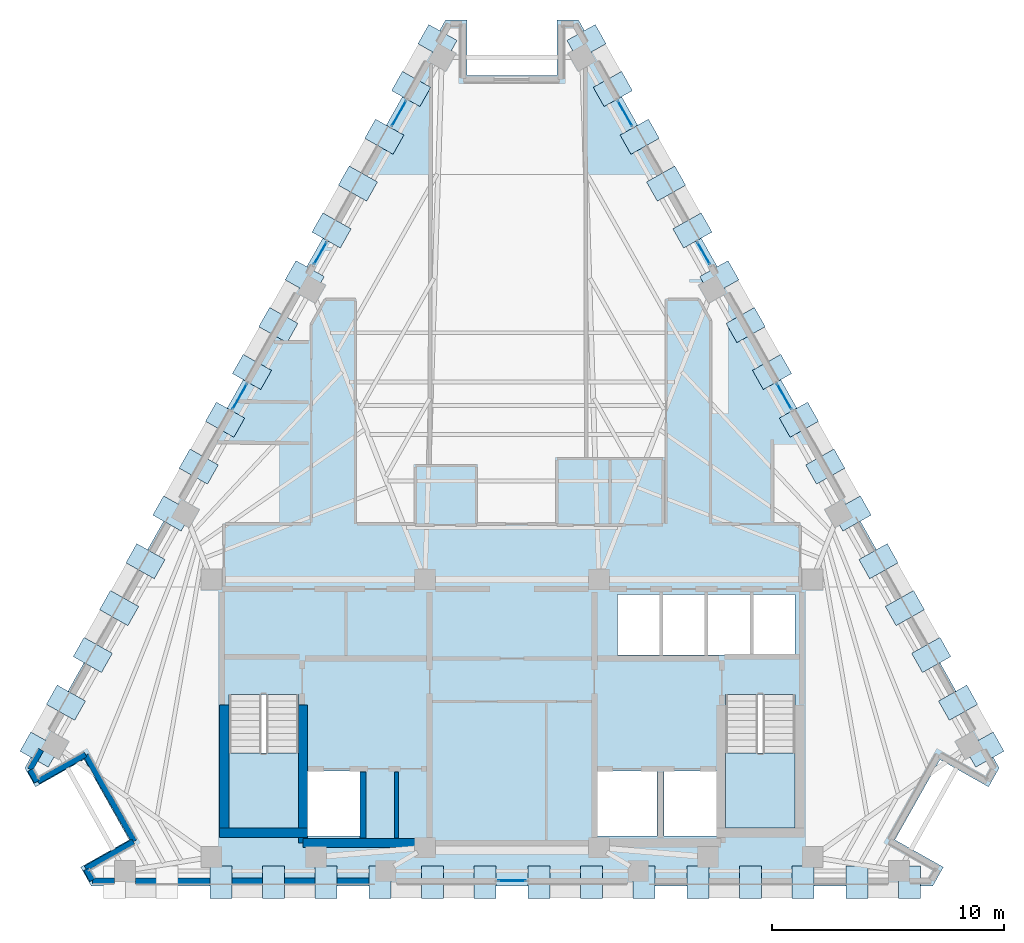
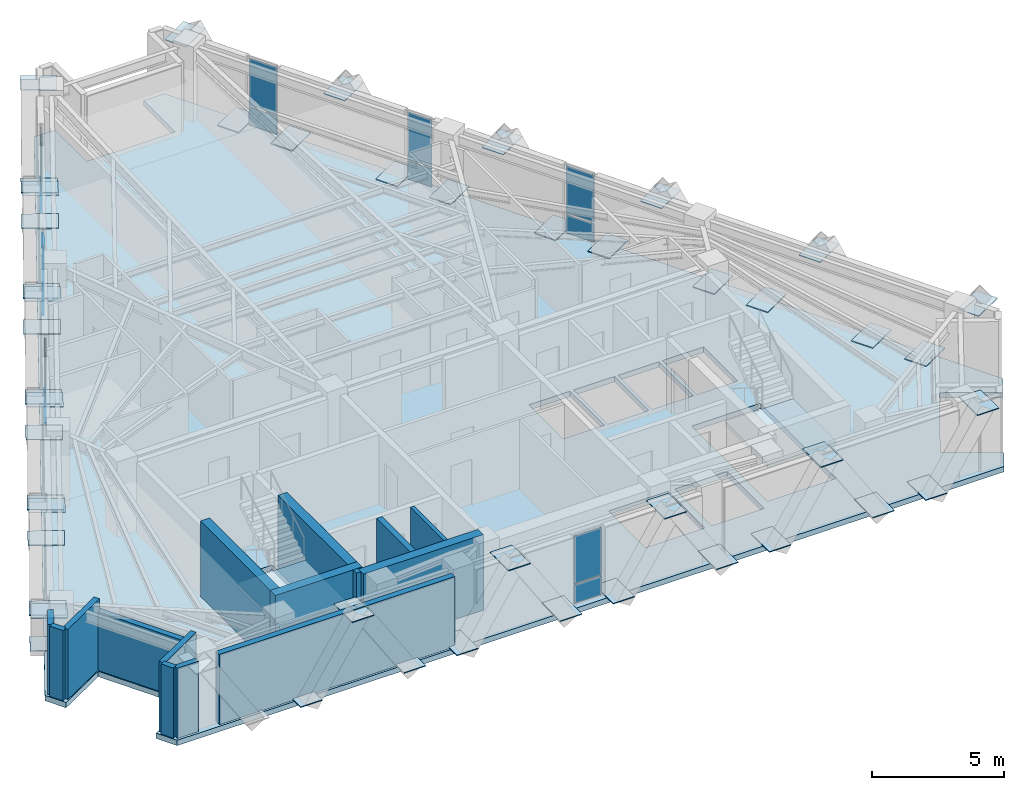
# One storey, part 6 of 12: 60 plates, 14 walls, 3 slabs, 9 elements without a shape of their own.
"""IFC4 building model written with IfcOpenShell, lengths in metres."""

from ifc_helpers import new_model, si_unit, direction, frame, frame_2d, origin, origin_2d, place, context, subcontext, project, spatial, polyline, rectangle, outline, extrude, material, layer, layer_set, type_object, element, aggregate, save


model = new_model("IFC4")

# Units and contexts
model_context = context("Model", 3, precision=1e-05, world=origin(), true_north=direction((0.0, 1.0)))
body_context = subcontext(model_context, "Body", "Model", "MODEL_VIEW")
ifc_project = project(units=[si_unit("LENGTHUNIT", "METRE"), si_unit("AREAUNIT", "SQUARE_METRE"), si_unit("VOLUMEUNIT", "CUBIC_METRE"), si_unit("PLANEANGLEUNIT", "RADIAN"), si_unit("MASSUNIT", "GRAM", prefix="KILO")], contexts=[model_context])

# Site, building, storey
site_placement = place(None, origin())
site = spatial("IfcSite", under=ifc_project, at=site_placement, CompositionType="ELEMENT")
building_placement = place(site_placement, origin())
building = spatial("IfcBuilding", under=site, at=building_placement, Name="Quenlor Broadcast Tower", CompositionType="ELEMENT")
storey_placement = place(building_placement, frame((0.0, 0.0, 197.39990234375)))
storey = spatial("IfcBuildingStorey", under=building, at=storey_placement, Name="L54", CompositionType="ELEMENT", Elevation=197.39990234375)

# Curtain wall, plates
ifc_material_1 = material(Name="Architectural Terracotta and Low-E Glazing", Category="masonry")
curtain_wall_type = type_object("IfcCurtainWallType", Name="Unitised Terracotta Curtain Wall System Z4", PredefinedType="NOTDEFINED", material=ifc_material_1)
curtain_wall_1_placement = place(storey_placement, origin())
curtain_wall_1 = element("IfcCurtainWall", 1, at=curtain_wall_1_placement, inside=storey, type_object=curtain_wall_type, Name="L54 Curtain Wall CW4 (L54-S-G1)", PredefinedType="NOTDEFINED")
ifc_material_2 = material(Name="Double Glazed Low-E Solar Glass", Category="glass")
ifc_layer_1 = layer(ifc_material_2, 0.028076171875)
ifc_layer_set_1 = layer_set([ifc_layer_1], Name="CW4 Double Glazed Vision Panel 28")
plate_type_1 = type_object("IfcPlateType", Name="CW4 Double Glazed Vision Panel 28", PredefinedType="CURTAIN_PANEL", material=ifc_layer_set_1)
plate_1_placement = place(storey_placement, frame((0.0, -17.77490234375, 0.068359375), z_axis=(0.0, 0.0, 1.0), x_axis=(-1.0, 0.0, 0.0)))
plate_1 = element("IfcPlate", 2, at=plate_1_placement, type_object=plate_type_1, Name="CW4 panel 1.1", PredefinedType="CURTAIN_PANEL", context=body_context, shape_type="SweptSolid", body=[
    extrude(rectangle(XDim=1.188720703125, YDim=0.028076171875, at=origin_2d()), origin(), (0.0, 0.0, 1.0), 0.847900390625),
])
plate_2_placement = place(storey_placement, frame((0.0, -17.77490234375, 0.98388671875), z_axis=(0.0, 0.0, 1.0), x_axis=(-1.0, 0.0, 0.0)))
plate_2 = element("IfcPlate", 3, at=plate_2_placement, type_object=plate_type_1, Name="CW4 panel 1.2", PredefinedType="CURTAIN_PANEL", context=body_context, shape_type="SweptSolid", body=[
    extrude(rectangle(XDim=1.188720703125, YDim=0.028076171875, at=origin_2d()), origin(), (0.0, 0.0, 1.0), 2.197998046875),
])
aggregate(curtain_wall_1, [plate_1, plate_2])

curtain_wall_2_placement = place(storey_placement, origin())
curtain_wall_2 = element("IfcCurtainWall", 4, at=curtain_wall_2_placement, inside=storey, type_object=curtain_wall_type, Name="L54 Curtain Wall CW4 (L54-NEA-G1)", PredefinedType="NOTDEFINED")
plate_3_placement = place(storey_placement, frame((4.87060546875, 15.281982421875, 0.068359375), z_axis=(0.0, 0.0, 1.0), x_axis=(0.490288844266, -0.871560008943, 0.0)))
plate_3 = element("IfcPlate", 5, at=plate_3_placement, type_object=plate_type_1, Name="CW4 panel 1.1", PredefinedType="CURTAIN_PANEL", context=body_context, shape_type="SweptSolid", body=[
    extrude(rectangle(XDim=1.239990234375, YDim=0.028076171875, at=origin_2d()), origin(), (0.0, 0.0, 1.0), 0.847900390625),
])
plate_4_placement = place(storey_placement, frame((4.87060546875, 15.281982421875, 0.98388671875), z_axis=(0.0, 0.0, 1.0), x_axis=(0.490288844266, -0.871560008943, 0.0)))
plate_4 = element("IfcPlate", 6, at=plate_4_placement, type_object=plate_type_1, Name="CW4 panel 1.2", PredefinedType="CURTAIN_PANEL", context=body_context, shape_type="SweptSolid", body=[
    extrude(rectangle(XDim=1.239990234375, YDim=0.028076171875, at=origin_2d()), origin(), (0.0, 0.0, 1.0), 2.197998046875),
])
aggregate(curtain_wall_2, [plate_3, plate_4])

curtain_wall_3_placement = place(storey_placement, origin())
curtain_wall_3 = element("IfcCurtainWall", 7, at=curtain_wall_3_placement, inside=storey, type_object=curtain_wall_type, Name="L54 Curtain Wall CW4 (L54-NEA-G2)", PredefinedType="NOTDEFINED")
plate_5_placement = place(storey_placement, frame((8.257080078125, 9.26171875, 0.068359375), z_axis=(0.0, 0.0, 1.0), x_axis=(0.490292850918, -0.871557755022, 0.0)))
plate_5 = element("IfcPlate", 8, at=plate_5_placement, type_object=plate_type_1, Name="CW4 panel 1.1", PredefinedType="CURTAIN_PANEL", context=body_context, shape_type="SweptSolid", body=[
    extrude(rectangle(XDim=1.0654296875, YDim=0.028076171875, at=origin_2d()), origin(), (0.0, 0.0, 1.0), 0.847900390625),
])
plate_6_placement = place(storey_placement, frame((8.257080078125, 9.26171875, 0.98388671875), z_axis=(0.0, 0.0, 1.0), x_axis=(0.490292850918, -0.871557755022, 0.0)))
plate_6 = element("IfcPlate", 9, at=plate_6_placement, type_object=plate_type_1, Name="CW4 panel 1.2", PredefinedType="CURTAIN_PANEL", context=body_context, shape_type="SweptSolid", body=[
    extrude(rectangle(XDim=1.0654296875, YDim=0.028076171875, at=origin_2d()), origin(), (0.0, 0.0, 1.0), 2.197998046875),
])
aggregate(curtain_wall_3, [plate_5, plate_6])

curtain_wall_4_placement = place(storey_placement, origin())
curtain_wall_4 = element("IfcCurtainWall", 10, at=curtain_wall_4_placement, inside=storey, type_object=curtain_wall_type, Name="L54 Curtain Wall CW4 (L54-NE-G1)", PredefinedType="NOTDEFINED")
plate_7_placement = place(storey_placement, frame((11.72900390625, 3.089599609375, 0.068359375), z_axis=(0.0, 0.0, 1.0), x_axis=(0.490288844266, -0.871560008943, 0.0)))
plate_7 = element("IfcPlate", 11, at=plate_7_placement, type_object=plate_type_1, Name="CW4 panel 1.1", PredefinedType="CURTAIN_PANEL", context=body_context, shape_type="SweptSolid", body=[
    extrude(rectangle(XDim=1.239990234375, YDim=0.028076171875, at=origin_2d()), origin(), (0.0, 0.0, 1.0), 0.847900390625),
])
plate_8_placement = place(storey_placement, frame((11.72900390625, 3.089599609375, 0.98388671875), z_axis=(0.0, 0.0, 1.0), x_axis=(0.490288844266, -0.871560008943, 0.0)))
plate_8 = element("IfcPlate", 12, at=plate_8_placement, type_object=plate_type_1, Name="CW4 panel 1.2", PredefinedType="CURTAIN_PANEL", context=body_context, shape_type="SweptSolid", body=[
    extrude(rectangle(XDim=1.239990234375, YDim=0.028076171875, at=origin_2d()), origin(), (0.0, 0.0, 1.0), 2.197998046875),
])
aggregate(curtain_wall_4, [plate_7, plate_8])

curtain_wall_5_placement = place(storey_placement, origin())
curtain_wall_5 = element("IfcCurtainWall", 13, at=curtain_wall_5_placement, inside=storey, type_object=curtain_wall_type, Name="L54 Curtain Wall CW4 (L54-NWC-G1)", PredefinedType="NOTDEFINED")
plate_9_placement = place(storey_placement, frame((-8.257080078125, 9.26171875, 0.068359375), z_axis=(0.0, 0.0, 1.0), x_axis=(0.490292850918, 0.871557755022, 0.0)))
plate_9 = element("IfcPlate", 14, at=plate_9_placement, type_object=plate_type_1, Name="CW4 panel 1.1", PredefinedType="CURTAIN_PANEL", context=body_context, shape_type="SweptSolid", body=[
    extrude(rectangle(XDim=1.0654296875, YDim=0.028076171875, at=origin_2d()), origin(), (0.0, 0.0, 1.0), 0.847900390625),
])
plate_10_placement = place(storey_placement, frame((-8.257080078125, 9.26171875, 0.98388671875), z_axis=(0.0, 0.0, 1.0), x_axis=(0.490292850918, 0.871557755022, 0.0)))
plate_10 = element("IfcPlate", 15, at=plate_10_placement, type_object=plate_type_1, Name="CW4 panel 1.2", PredefinedType="CURTAIN_PANEL", context=body_context, shape_type="SweptSolid", body=[
    extrude(rectangle(XDim=1.0654296875, YDim=0.028076171875, at=origin_2d()), origin(), (0.0, 0.0, 1.0), 2.197998046875),
])
aggregate(curtain_wall_5, [plate_9, plate_10])

curtain_wall_6_placement = place(storey_placement, origin())
curtain_wall_6 = element("IfcCurtainWall", 16, at=curtain_wall_6_placement, inside=storey, type_object=curtain_wall_type, Name="L54 Curtain Wall CW4 (L54-NWC-G2)", PredefinedType="NOTDEFINED")
plate_11_placement = place(storey_placement, frame((-4.87060546875, 15.281982421875, 0.068359375), z_axis=(0.0, 0.0, 1.0), x_axis=(0.490288844266, 0.871560008943, 0.0)))
plate_11 = element("IfcPlate", 17, at=plate_11_placement, type_object=plate_type_1, Name="CW4 panel 1.1", PredefinedType="CURTAIN_PANEL", context=body_context, shape_type="SweptSolid", body=[
    extrude(rectangle(XDim=1.239990234375, YDim=0.028076171875, at=origin_2d()), origin(), (0.0, 0.0, 1.0), 0.847900390625),
])
plate_12_placement = place(storey_placement, frame((-4.87060546875, 15.281982421875, 0.98388671875), z_axis=(0.0, 0.0, 1.0), x_axis=(0.490288844266, 0.871560008943, 0.0)))
plate_12 = element("IfcPlate", 18, at=plate_12_placement, type_object=plate_type_1, Name="CW4 panel 1.2", PredefinedType="CURTAIN_PANEL", context=body_context, shape_type="SweptSolid", body=[
    extrude(rectangle(XDim=1.239990234375, YDim=0.028076171875, at=origin_2d()), origin(), (0.0, 0.0, 1.0), 2.197998046875),
])
aggregate(curtain_wall_6, [plate_11, plate_12])

curtain_wall_7_placement = place(storey_placement, origin())
curtain_wall_7 = element("IfcCurtainWall", 19, at=curtain_wall_7_placement, inside=storey, type_object=curtain_wall_type, Name="L54 Curtain Wall CW4 (L54-NW-G1)", PredefinedType="NOTDEFINED")
plate_13_placement = place(storey_placement, frame((-11.72900390625, 3.089599609375, 0.068359375), z_axis=(0.0, 0.0, 1.0), x_axis=(0.490288844266, 0.871560008943, 0.0)))
plate_13 = element("IfcPlate", 20, at=plate_13_placement, type_object=plate_type_1, Name="CW4 panel 1.1", PredefinedType="CURTAIN_PANEL", context=body_context, shape_type="SweptSolid", body=[
    extrude(rectangle(XDim=1.239990234375, YDim=0.028076171875, at=origin_2d()), origin(), (0.0, 0.0, 1.0), 0.847900390625),
])
plate_14_placement = place(storey_placement, frame((-11.72900390625, 3.089599609375, 0.98388671875), z_axis=(0.0, 0.0, 1.0), x_axis=(0.490288844266, 0.871560008943, 0.0)))
plate_14 = element("IfcPlate", 21, at=plate_14_placement, type_object=plate_type_1, Name="CW4 panel 1.2", PredefinedType="CURTAIN_PANEL", context=body_context, shape_type="SweptSolid", body=[
    extrude(rectangle(XDim=1.239990234375, YDim=0.028076171875, at=origin_2d()), origin(), (0.0, 0.0, 1.0), 2.197998046875),
])
aggregate(curtain_wall_7, [plate_13, plate_14])

# Stair, slab
ifc_material_3 = material(Name="Precast concrete C40/50", Category="concrete")
stair_type = type_object("IfcStairType", Name="Precast Concrete C40/50 Dogleg Stair H350", PredefinedType="HALF_TURN_STAIR", material=ifc_material_3)
stair_1_placement = place(storey_placement, origin())
stair_1 = element("IfcStair", 22, at=stair_1_placement, inside=storey, type_object=stair_type, Name="L54 West Core Fire-Isolated Exit Stair ST-1", PredefinedType="HALF_TURN_STAIR")
ifc_material_4 = material(Name="Precast concrete C40/50", Category="concrete")
ifc_layer_2 = layer(ifc_material_4, 0.199951171875)
ifc_layer_set_2 = layer_set([ifc_layer_2], Name="Precast Concrete C40/50 Stair Landing Slab 200")
slab_type_1 = type_object("IfcSlabType", Name="Precast Concrete C40/50 Stair Landing Slab 200", PredefinedType="LANDING", material=ifc_layer_set_2)
slab_1_placement = place(storey_placement, frame((0.0, 0.0, 1.550048828125)))
slab_1 = element("IfcSlab", 23, at=slab_1_placement, type_object=slab_type_1, Name="ST-1 landing 1", PredefinedType="LANDING", context=body_context, shape_type="SweptSolid", body=[
    extrude(outline(polyline([(-12.199951171875, -12.27001953125), (-12.199951171875, -15.5), (-9.199951171875, -15.5), (-9.199951171875, -12.27001953125), (-12.199951171875, -12.27001953125)])), origin(), (0.0, 0.0, 1.0), 0.199951171875),
])
aggregate(stair_1, [slab_1])

stair_2_placement = place(storey_placement, origin())
stair_2 = element("IfcStair", 24, at=stair_2_placement, inside=storey, type_object=stair_type, Name="L54 East Core Fire-Isolated Exit Stair ST-2", PredefinedType="HALF_TURN_STAIR")
slab_2_placement = place(storey_placement, frame((0.0, 0.0, 1.550048828125)))
slab_2 = element("IfcSlab", 25, at=slab_2_placement, type_object=slab_type_1, Name="ST-2 landing 1", PredefinedType="LANDING", context=body_context, shape_type="SweptSolid", body=[
    extrude(outline(polyline([(9.199951171875, -12.27001953125), (9.199951171875, -15.5), (12.199951171875, -15.5), (12.199951171875, -12.27001953125), (9.199951171875, -12.27001953125)])), origin(), (0.0, 0.0, 1.0), 0.199951171875),
])
aggregate(stair_2, [slab_2])

# Slab
ifc_material_5 = material(Name="Concrete C40/50", Category="concrete")
ifc_layer_3 = layer(ifc_material_5, 0.25)
ifc_layer_set_3 = layer_set([ifc_layer_3], Name="Tower Composite Concrete C40/50 Slab 250")
slab_type_2 = type_object("IfcSlabType", Name="Tower Composite Concrete C40/50 Slab 250", PredefinedType="FLOOR", material=ifc_layer_set_3)
slab_3_placement = place(storey_placement, frame((0.0, 0.0, -0.25)))
element("IfcSlab", 26, at=slab_3_placement, inside=storey, type_object=slab_type_2, Name="L54 Structural Floor Slab", PredefinedType="FLOOR", context=body_context, shape_type="SweptSolid", body=[
    extrude(outline(polyline([(18.1259765625, -18.0), (18.583984375, -17.185791015625), (16.4921875, -16.00927734375), (18.438232421875, -12.549560546875), (20.530029296875, -13.72607421875), (20.988037109375, -12.912109375), (2.862060546875, 19.31201171875), (1.9462890625, 19.31201171875), (1.9462890625, 16.912109375), (-1.9462890625, 16.912109375), (-1.9462890625, 19.31201171875), (-2.862060546875, 19.31201171875), (-20.988037109375, -12.912109375), (-20.530029296875, -13.72607421875), (-18.438232421875, -12.549560546875), (-16.4921875, -16.00927734375), (-18.583984375, -17.185791015625), (-18.1259765625, -18.0), (18.1259765625, -18.0)]), holes=[polyline([(-12.199951171875, -9.758056640625), (-12.199951171875, -15.5), (-9.199951171875, -15.5), (-9.199951171875, -9.758056640625), (-12.199951171875, -9.758056640625)]), polyline([(9.199951171875, -9.758056640625), (9.199951171875, -15.5), (12.199951171875, -15.5), (12.199951171875, -9.758056640625), (9.199951171875, -9.758056640625)]), polyline([(4.550048828125, -8.050048828125), (6.35009765625, -8.050048828125), (6.35009765625, -5.449951171875), (4.550048828125, -5.449951171875), (4.550048828125, -8.050048828125)]), polyline([(6.5, -8.050048828125), (8.300048828125, -8.050048828125), (8.300048828125, -5.449951171875), (6.5, -5.449951171875), (6.5, -8.050048828125)]), polyline([(8.449951171875, -8.050048828125), (10.25, -8.050048828125), (10.25, -5.449951171875), (8.449951171875, -5.449951171875), (8.449951171875, -8.050048828125)]), polyline([(10.39990234375, -8.050048828125), (12.199951171875, -8.050048828125), (12.199951171875, -5.449951171875), (10.39990234375, -5.449951171875), (10.39990234375, -8.050048828125)]), polyline([(-8.85009765625, -15.85009765625), (-6.550048828125, -15.85009765625), (-6.550048828125, -13.050048828125), (-8.85009765625, -13.050048828125), (-8.85009765625, -15.85009765625)]), polyline([(6.550048828125, -15.85009765625), (8.85009765625, -15.85009765625), (8.85009765625, -13.050048828125), (6.550048828125, -13.050048828125), (6.550048828125, -15.85009765625)]), polyline([(3.64990234375, -15.85009765625), (6.25, -15.85009765625), (6.25, -13.050048828125), (3.64990234375, -13.050048828125), (3.64990234375, -15.85009765625)])]), origin(), (0.0, 0.0, 1.0), 0.25),
])

# Plates
ifc_material_6 = material(Name="Steel S355", Category="steel")
ifc_layer_4 = layer(ifc_material_6, 0.035888671875)
ifc_layer_set_4 = layer_set([ifc_layer_4], Name="Transfer Truss Steel S355 Gusset Node Plate 1400x950x36")
plate_type_2 = type_object("IfcPlateType", Name="Transfer Truss Steel S355 Gusset Node Plate 1400x950x36", PredefinedType="SHEET", material=ifc_layer_set_4)
for number, where, z_axis, x_axis, name in (
    (27, (12.54541015625, -17.8349609375, 0.0419921875), (0.0, 0.0, 1.0), (0.0, -1.0, 0.0), "L54 Lattice Tie Gusset Node S-B2"),
    (28, (10.275634765625, -17.8349609375, 3.18212890625), (0.0, 0.0, 1.0), (0.0, -1.0, 0.0), "L54 Lattice Tie Gusset Node S-T3"),
    (29, (14.856201171875, -17.8349609375, 0.0419921875), (0.0, 0.0, 1.0), (0.0, -1.0, 0.0), "L54 Lattice Tie Gusset Node S-B1"),
    (30, (17.1259765625, -17.8349609375, 3.18212890625), (0.0, 0.0, 1.0), (0.0, -1.0, 0.0), "L54 Lattice Tie Gusset Node S-T0"),
    (31, (5.695068359375, -17.8349609375, 0.0419921875), (0.0, 0.0, 1.0), (0.0, -1.0, 0.0), "L54 Lattice Tie Gusset Node S-B5"),
    (32, (3.42529296875, -17.8349609375, 3.18212890625), (0.0, 0.0, 1.0), (0.0, -1.0, 0.0), "L54 Lattice Tie Gusset Node S-T6"),
    (33, (8.005859375, -17.8349609375, 0.0419921875), (0.0, 0.0, 1.0), (0.0, -1.0, 0.0), "L54 Lattice Tie Gusset Node S-B4"),
    (34, (-1.155517578125, -17.8349609375, 0.0419921875), (0.0, 0.0, 1.0), (0.0, -1.0, 0.0), "L54 Lattice Tie Gusset Node S-B8"),
    (35, (-3.42529296875, -17.8349609375, 3.18212890625), (0.0, 0.0, 1.0), (0.0, -1.0, 0.0), "L54 Lattice Tie Gusset Node S-T9"),
    (36, (1.155517578125, -17.8349609375, 0.0419921875), (0.0, 0.0, 1.0), (0.0, -1.0, 0.0), "L54 Lattice Tie Gusset Node S-B7"),
    (37, (-8.005859375, -17.8349609375, 0.0419921875), (0.0, 0.0, 1.0), (0.0, -1.0, 0.0), "L54 Lattice Tie Gusset Node S-B11"),
    (38, (-10.275634765625, -17.8349609375, 3.18212890625), (0.0, 0.0, 1.0), (0.0, -1.0, 0.0), "L54 Lattice Tie Gusset Node S-T12"),
    (39, (-5.695068359375, -17.8349609375, 0.0419921875), (0.0, 0.0, 1.0), (0.0, -1.0, 0.0), "L54 Lattice Tie Gusset Node S-B10"),
    (40, (-12.54541015625, -17.8349609375, 0.0419921875), (0.0, 0.0, 1.0), (0.0, -1.0, 0.0), "L54 Lattice Tie Gusset Node S-B13"),
    (41, (5.50146484375, 14.283203125, 0.0419921875), (0.0, 0.0, 1.0), (0.871556314255, 0.490295412055, 0.0), "L54 Lattice Tie Gusset Node NE-B2"),
    (42, (6.6376953125, 12.263427734375, 3.18212890625), (0.0, 0.0, 1.0), (0.871556314255, 0.490295412055, 0.0), "L54 Lattice Tie Gusset Node NE-T3"),
    (43, (4.344482421875, 16.339599609375, 0.0419921875), (0.0, 0.0, 1.0), (0.871556314255, 0.490295412055, 0.0), "L54 Lattice Tie Gusset Node NE-B1"),
    (44, (3.20849609375, 18.359619140625, 3.18212890625), (0.0, 0.0, 1.0), (0.871556314255, 0.490295412055, 0.0), "L54 Lattice Tie Gusset Node NE-T0"),
    (45, (8.930419921875, 8.18701171875, 0.0419921875), (0.0, 0.0, 1.0), (0.871556314255, 0.490295412055, 0.0), "L54 Lattice Tie Gusset Node NE-B5"),
    (46, (10.066650390625, 6.167236328125, 3.18212890625), (0.0, 0.0, 1.0), (0.871556314255, 0.490295412055, 0.0), "L54 Lattice Tie Gusset Node NE-T6"),
    (47, (7.773681640625, 10.243408203125, 0.0419921875), (0.0, 0.0, 1.0), (0.871556314255, 0.490295412055, 0.0), "L54 Lattice Tie Gusset Node NE-B4"),
    (48, (12.359619140625, 2.0908203125, 0.0419921875), (0.0, 0.0, 1.0), (0.871556314255, 0.490295412055, 0.0), "L54 Lattice Tie Gusset Node NE-B8"),
    (49, (13.49560546875, 0.071044921875, 3.18212890625), (0.0, 0.0, 1.0), (0.871556314255, 0.490295412055, 0.0), "L54 Lattice Tie Gusset Node NE-T9"),
    (50, (11.202880859375, 4.147216796875, 0.0419921875), (0.0, 0.0, 1.0), (0.871556314255, 0.490295412055, 0.0), "L54 Lattice Tie Gusset Node NE-B7"),
    (51, (15.788818359375, -4.00537109375, 0.0419921875), (0.0, 0.0, 1.0), (0.871556314255, 0.490295412055, 0.0), "L54 Lattice Tie Gusset Node NE-B11"),
    (52, (16.9248046875, -6.025146484375, 3.18212890625), (0.0, 0.0, 1.0), (0.871556314255, 0.490295412055, 0.0), "L54 Lattice Tie Gusset Node NE-T12"),
    (53, (14.6318359375, -1.94873046875, 0.0419921875), (0.0, 0.0, 1.0), (0.871556314255, 0.490295412055, 0.0), "L54 Lattice Tie Gusset Node NE-B10"),
    (54, (19.2177734375, -10.101318359375, 0.0419921875), (0.0, 0.0, 1.0), (0.871556314255, 0.490295412055, 0.0), "L54 Lattice Tie Gusset Node NE-B14"),
    (55, (20.35400390625, -12.121337890625, 3.18212890625), (0.0, 0.0, 1.0), (0.871556314255, 0.490295412055, 0.0), "L54 Lattice Tie Gusset Node NE-T15"),
    (56, (18.06103515625, -8.044921875, 0.0419921875), (0.0, 0.0, 1.0), (0.871556314255, 0.490295412055, 0.0), "L54 Lattice Tie Gusset Node NE-B13"),
    (57, (-18.06103515625, -8.044921875, 0.0419921875), (0.0, 0.0, 1.0), (-0.871556314255, 0.490295412055, 0.0), "L54 Lattice Tie Gusset Node NW-B2"),
    (58, (-16.9248046875, -6.025146484375, 3.18212890625), (0.0, 0.0, 1.0), (-0.871556314255, 0.490295412055, 0.0), "L54 Lattice Tie Gusset Node NW-T3"),
    (59, (-19.2177734375, -10.101318359375, 0.0419921875), (0.0, 0.0, 1.0), (-0.871556314255, 0.490295412055, 0.0), "L54 Lattice Tie Gusset Node NW-B1"),
    (60, (-20.35400390625, -12.121337890625, 3.18212890625), (0.0, 0.0, 1.0), (-0.871556314255, 0.490295412055, 0.0), "L54 Lattice Tie Gusset Node NW-T0"),
    (61, (-14.6318359375, -1.94873046875, 0.0419921875), (0.0, 0.0, 1.0), (-0.871556314255, 0.490295412055, 0.0), "L54 Lattice Tie Gusset Node NW-B5"),
    (62, (-13.49560546875, 0.071044921875, 3.18212890625), (0.0, 0.0, 1.0), (-0.871556314255, 0.490295412055, 0.0), "L54 Lattice Tie Gusset Node NW-T6"),
    (63, (-15.788818359375, -4.00537109375, 0.0419921875), (0.0, 0.0, 1.0), (-0.871556314255, 0.490295412055, 0.0), "L54 Lattice Tie Gusset Node NW-B4"),
    (64, (-11.202880859375, 4.147216796875, 0.0419921875), (0.0, 0.0, 1.0), (-0.871556314255, 0.490295412055, 0.0), "L54 Lattice Tie Gusset Node NW-B8"),
    (65, (-10.066650390625, 6.167236328125, 3.18212890625), (0.0, 0.0, 1.0), (-0.871556314255, 0.490295412055, 0.0), "L54 Lattice Tie Gusset Node NW-T9"),
    (66, (-12.359619140625, 2.0908203125, 0.0419921875), (0.0, 0.0, 1.0), (-0.871556314255, 0.490295412055, 0.0), "L54 Lattice Tie Gusset Node NW-B7"),
    (67, (-7.773681640625, 10.243408203125, 0.0419921875), (0.0, 0.0, 1.0), (-0.871556314255, 0.490295412055, 0.0), "L54 Lattice Tie Gusset Node NW-B11"),
    (68, (-6.6376953125, 12.263427734375, 3.18212890625), (0.0, 0.0, 1.0), (-0.871556314255, 0.490295412055, 0.0), "L54 Lattice Tie Gusset Node NW-T12"),
    (69, (-8.930419921875, 8.18701171875, 0.0419921875), (0.0, 0.0, 1.0), (-0.871556314255, 0.490295412055, 0.0), "L54 Lattice Tie Gusset Node NW-B10"),
    (70, (-4.344482421875, 16.339599609375, 0.0419921875), (0.0, 0.0, 1.0), (-0.871556314255, 0.490295412055, 0.0), "L54 Lattice Tie Gusset Node NW-B14"),
    (71, (-3.20849609375, 18.359619140625, 3.18212890625), (0.0, 0.0, 1.0), (-0.871556314255, 0.490295412055, 0.0), "L54 Lattice Tie Gusset Node NW-T15"),
    (72, (-5.50146484375, 14.283203125, 0.0419921875), (0.0, 0.0, 1.0), (-0.871556314255, 0.490295412055, 0.0), "L54 Lattice Tie Gusset Node NW-B13"),
):
    element("IfcPlate", number, at=place(storey_placement, frame(where, z_axis=z_axis, x_axis=x_axis)), inside=storey, type_object=plate_type_2, Name=name, PredefinedType="SHEET", context=body_context, shape_type="SweptSolid", body=[
        extrude(rectangle(XDim=1.39990234375, YDim=0.949951171875, at=origin_2d()), origin(), (0.0, 0.0, 1.0), 0.035888671875),
    ])

# Walls
ifc_material_7 = material(Name="Concrete C50/60", Category="concrete")
ifc_layer_5 = layer(ifc_material_7, 0.39990234375)
ifc_layer_set_5 = layer_set([ifc_layer_5], Name="Core Concrete C50/60 Shear Wall 400")
wall_type_1 = type_object("IfcWallType", Name="Core Concrete C50/60 Shear Wall 400", PredefinedType="SHEAR", material=ifc_layer_set_5)
wall_1_placement = place(storey_placement, frame((-12.60009765625, -15.699951171875, 0.0), z_axis=(0.0, 0.0, 1.0), x_axis=(1.0, 0.0, 0.0)))
element("IfcWall", 73, at=wall_1_placement, inside=storey, type_object=wall_type_1, Name="L54 Core Shear Wall WS-W1", PredefinedType="SHEAR", context=body_context, shape_type="SweptSolid", body=[
    extrude(rectangle(XDim=3.800048828125, YDim=0.39990234375, at=frame_2d((1.89990234375, 0.0))), origin(), (0.0, 0.0, 1.0), 3.5),
])
wall_2_placement = place(storey_placement, frame((-9.0, -16.14990234375, 0.0), z_axis=(0.0, 0.0, 1.0), x_axis=(1.0, 0.0, 0.0)))
element("IfcWall", 74, at=wall_2_placement, inside=storey, type_object=wall_type_1, Name="L54 Core Shear Wall WS-W2", PredefinedType="SHEAR", context=body_context, shape_type="SweptSolid", body=[
    extrude(rectangle(XDim=5.25, YDim=0.39990234375, at=frame_2d((2.625, 0.0))), origin(), (0.0, 0.0, 1.0), 3.5),
])
wall_3_placement = place(storey_placement, frame((-12.39990234375, -15.699951171875, 0.0), z_axis=(0.0, 0.0, 1.0), x_axis=(0.0, 1.0, 0.0)))
element("IfcWall", 75, at=wall_3_placement, inside=storey, type_object=wall_type_1, Name="L54 Core Shear Wall WF-W", PredefinedType="SHEAR", context=body_context, shape_type="SweptSolid", body=[
    extrude(rectangle(XDim=5.5, YDim=0.39990234375, at=frame_2d((2.75, 0.0))), origin(), (0.0, 0.0, 1.0), 3.5),
])
wall_4_placement = place(storey_placement, frame((-9.0, -16.14990234375, 0.0), z_axis=(0.0, 0.0, 1.0), x_axis=(0.0, 1.0, 0.0)))
element("IfcWall", 76, at=wall_4_placement, inside=storey, type_object=wall_type_1, Name="L54 Core Shear Wall WI-W", PredefinedType="SHEAR", context=body_context, shape_type="SweptSolid", body=[
    extrude(rectangle(XDim=5.949951171875, YDim=0.39990234375, at=frame_2d((2.97509765625, 0.0))), origin(), (0.0, 0.0, 1.0), 3.5),
])
ifc_material_8 = material(Name="Concrete C40/50", Category="concrete")
ifc_layer_6 = layer(ifc_material_8, 0.25)
ifc_layer_set_6 = layer_set([ifc_layer_6], Name="Fire Rated Concrete C40/50 Core Wall 250")
wall_type_2 = type_object("IfcWallType", Name="Fire Rated Concrete C40/50 Core Wall 250", PredefinedType="PARTITIONING", material=ifc_layer_set_6)
wall_5_placement = place(storey_placement, frame((-6.419921875, -15.919921875, 0.0), z_axis=(0.0, 0.0, 1.0), x_axis=(0.0, 1.0, 0.0)))
element("IfcWall", 77, at=wall_5_placement, inside=storey, type_object=wall_type_2, Name="L54 Interior Wall CW-FF1-E", PredefinedType="PARTITIONING", context=body_context, shape_type="SweptSolid", body=[
    extrude(rectangle(XDim=2.829833984375, YDim=0.25, at=frame_2d((1.4150390625, 0.0))), origin(), (0.0, 0.0, 1.0), 3.25),
])
ifc_material_9 = material(Name="Gypsum Fireboard Partition", Category="other")
ifc_layer_7 = layer(ifc_material_9, 0.159912109375)
ifc_layer_set_7 = layer_set([ifc_layer_7], Name="Fire Rated Shaft and Corridor Partition 160")
wall_type_3 = type_object("IfcWallType", Name="Fire Rated Shaft and Corridor Partition 160", PredefinedType="PARTITIONING", material=ifc_layer_set_7)
wall_6_placement = place(storey_placement, frame((-4.97998046875, -15.919921875, 0.0), z_axis=(0.0, 0.0, 1.0), x_axis=(0.0, 1.0, 0.0)))
element("IfcWall", 78, at=wall_6_placement, inside=storey, type_object=wall_type_3, Name="L54 Interior Wall CW-ELR-E", PredefinedType="PARTITIONING", context=body_context, shape_type="SweptSolid", body=[
    extrude(rectangle(XDim=2.829833984375, YDim=0.159912109375, at=frame_2d((1.4150390625, 0.0))), origin(), (0.0, 0.0, 1.0), 3.25),
])
ifc_material_10 = material(Name="Precast concrete C40/50", Category="concrete")
ifc_layer_8 = layer(ifc_material_10, 0.239990234375)
ifc_layer_set_8 = layer_set([ifc_layer_8], Name="Terrace Threshold Precast Concrete C40/50 Wall 240")
wall_type_4 = type_object("IfcWallType", Name="Terrace Threshold Precast Concrete C40/50 Wall 240", PredefinedType="STANDARD", material=ifc_layer_set_8)
wall_7_placement = place(storey_placement, frame((-17.130859375, -17.77490234375, 0.0), z_axis=(0.0, 0.0, 1.0), x_axis=(-1.0, 0.0, 0.0)))
element("IfcWall", 79, at=wall_7_placement, inside=storey, type_object=wall_type_4, Name="L54 Exterior Wall L54-SHD-SS1", PredefinedType="STANDARD", context=body_context, shape_type="SweptSolid", body=[
    extrude(rectangle(XDim=0.93505859375, YDim=0.239990234375, at=frame_2d((0.467529296875, 0.0))), origin(), (0.0, 0.0, 1.0), 3.25),
])
wall_8_placement = place(storey_placement, frame((-20.762451171875, -12.969970703125, 0.0), z_axis=(0.0, 0.0, 1.0), x_axis=(0.490345412687, 0.87152818443, 0.0)))
element("IfcWall", 80, at=wall_8_placement, inside=storey, type_object=wall_type_4, Name="L54 Exterior Wall L54-SHD-NWS0", PredefinedType="STANDARD", context=body_context, shape_type="SweptSolid", body=[
    extrude(rectangle(XDim=0.9638671875, YDim=0.239990234375, at=frame_2d((0.48193359375, 0.0))), origin(), (0.0, 0.0, 1.0), 3.25),
])
wall_9_placement = place(storey_placement, frame((-20.75537109375, -12.999267578125, 0.0), z_axis=(0.0, 0.0, 1.0), x_axis=(0.490320776404, -0.871542045014, 0.0)))
element("IfcWall", 81, at=wall_9_placement, inside=storey, type_object=wall_type_4, Name="L54 Exterior Wall L54-CNR-12", PredefinedType="STANDARD", context=body_context, shape_type="SweptSolid", body=[
    extrude(rectangle(XDim=0.583984375, YDim=0.239990234375, at=frame_2d((0.2919921875, 0.0))), origin(), (0.0, 0.0, 1.0), 3.25),
])
wall_10_placement = place(storey_placement, frame((-20.43408203125, -13.488525390625, 0.0), z_axis=(0.0, 0.0, 1.0), x_axis=(0.871578299909, 0.490256327984, 0.0)))
element("IfcWall", 82, at=wall_10_placement, inside=storey, type_object=wall_type_4, Name="L54 Exterior Wall L54-CNR-13", PredefinedType="STANDARD", context=body_context, shape_type="SweptSolid", body=[
    extrude(rectangle(XDim=2.35986328125, YDim=0.239990234375, at=frame_2d((1.179931640625, 0.0))), origin(), (0.0, 0.0, 1.0), 3.25),
])
wall_11_placement = place(storey_placement, frame((-18.357666015625, -12.366455078125, 0.0), z_axis=(0.0, 0.0, 1.0), x_axis=(0.49027487746, -0.871567865706, 0.0)))
element("IfcWall", 83, at=wall_11_placement, inside=storey, type_object=wall_type_4, Name="L54 Exterior Wall L54-CNR-14", PredefinedType="STANDARD", context=body_context, shape_type="SweptSolid", body=[
    extrude(rectangle(XDim=4.249755859375, YDim=0.239990234375, at=frame_2d((2.125, 0.0))), origin(), (0.0, 0.0, 1.0), 2.721923828125),
])
wall_12_placement = place(storey_placement, frame((-16.30908203125, -16.08984375, 0.0), z_axis=(0.0, 0.0, 1.0), x_axis=(-0.871578299909, -0.490256327984, 0.0)))
element("IfcWall", 84, at=wall_12_placement, inside=storey, type_object=wall_type_4, Name="L54 Exterior Wall L54-CNR-15", PredefinedType="STANDARD", context=body_context, shape_type="SweptSolid", body=[
    extrude(rectangle(XDim=2.35986328125, YDim=0.239990234375, at=frame_2d((1.179931640625, 0.0))), origin(), (0.0, 0.0, 1.0), 3.25),
])
wall_13_placement = place(storey_placement, frame((-18.346435546875, -17.28173828125, 0.0), z_axis=(0.0, 0.0, 1.0), x_axis=(0.49038986747, -0.87150317147, 0.0)))
element("IfcWall", 85, at=wall_13_placement, inside=storey, type_object=wall_type_4, Name="L54 Exterior Wall L54-CNR-16", PredefinedType="STANDARD", context=body_context, shape_type="SweptSolid", body=[
    extrude(rectangle(XDim=0.540771484375, YDim=0.239990234375, at=frame_2d((0.2705078125, 0.0))), origin(), (0.0, 0.0, 1.0), 3.25),
])
ifc_material_11 = material(Name="Precast concrete C40/50", Category="concrete")
ifc_layer_9 = layer(ifc_material_11, 0.260009765625)
ifc_layer_set_9 = layer_set([ifc_layer_9], Name="Terracotta Precast Concrete C40/50 Upper Wall 260")
wall_type_5 = type_object("IfcWallType", Name="Terracotta Precast Concrete C40/50 Upper Wall 260", PredefinedType="STANDARD", material=ifc_layer_set_9)
wall_14_placement = place(storey_placement, frame((-5.892822265625, -17.77490234375, 0.0), z_axis=(0.0, 0.0, 1.0), x_axis=(-1.0, 0.0, 0.0)))
element("IfcWall", 86, at=wall_14_placement, inside=storey, type_object=wall_type_5, Name="L54 Exterior Wall L54-EW-SC", PredefinedType="STANDARD", context=body_context, shape_type="SweptSolid", body=[
    extrude(rectangle(XDim=10.328125, YDim=0.260009765625, at=frame_2d((5.1640625, 0.0))), origin(), (0.0, 0.0, 1.0), 3.25),
])

save(model, "model.ifc")
